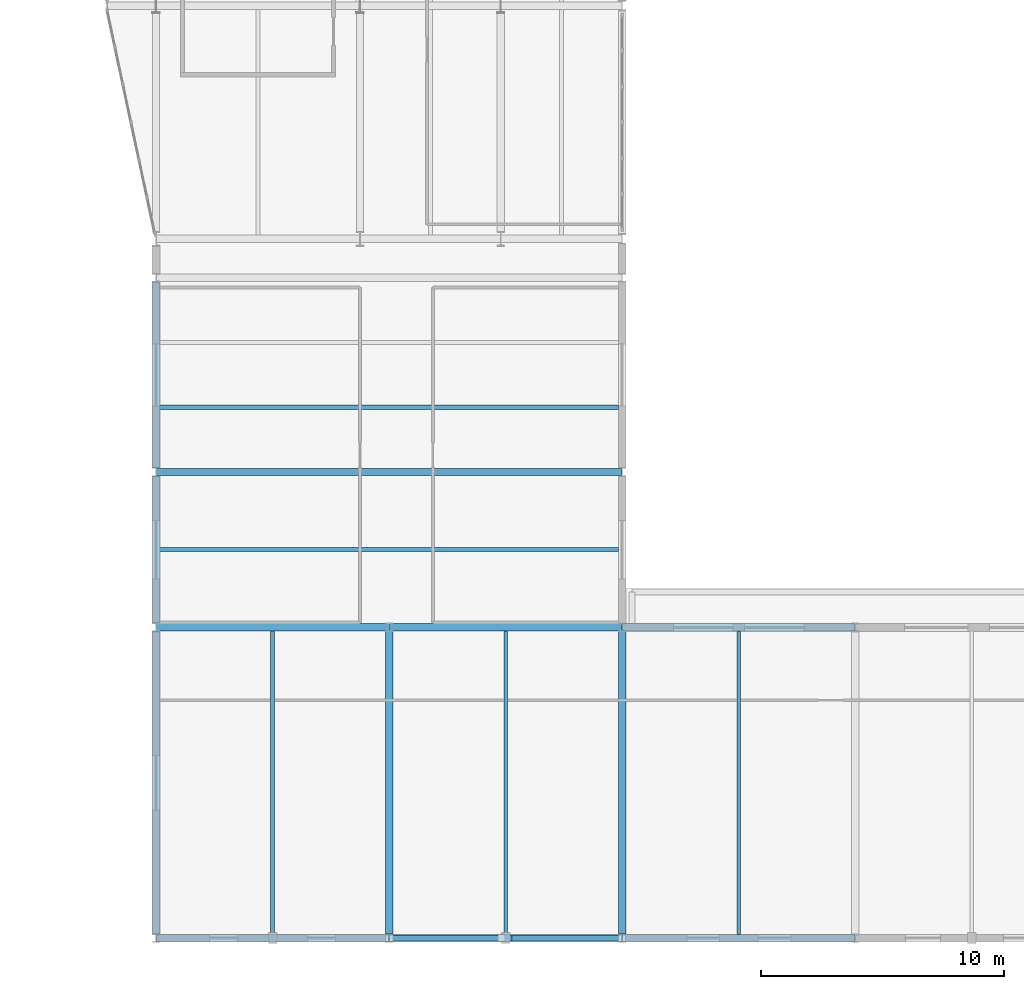
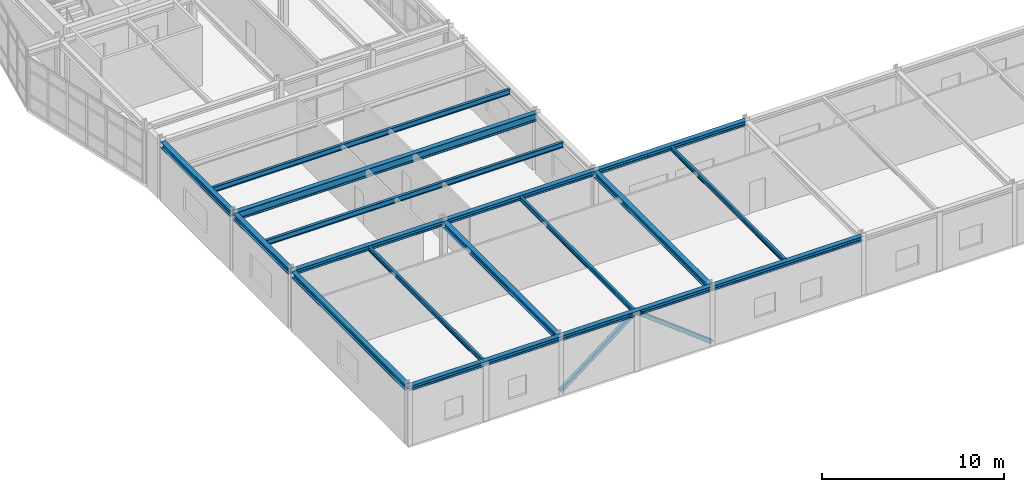
# One storey, part 19 of 99: 17 beams, 2 members.
"""IFC4 building model written with IfcOpenShell, lengths in metres."""

from ifc_helpers import new_model, si_unit, direction, frame, origin, origin_2d, place, context, subcontext, project, spatial, hollow_rectangle, i_section, extrude, material, material_profile, profile_set, type_object, element, save


model = new_model("IFC4")

# Units and contexts
model_context = context("Model", 3, precision=1e-05, world=origin(), true_north=direction((0.0, 1.0)))
body_context = subcontext(model_context, "Body", "Model", "MODEL_VIEW")
ifc_project = project(units=[si_unit("LENGTHUNIT", "METRE"), si_unit("AREAUNIT", "SQUARE_METRE"), si_unit("VOLUMEUNIT", "CUBIC_METRE"), si_unit("PLANEANGLEUNIT", "RADIAN"), si_unit("MASSUNIT", "GRAM", prefix="KILO")], contexts=[model_context])

# Site, building, storey
site_placement = place(None, origin())
site = spatial("IfcSite", under=ifc_project, at=site_placement, CompositionType="ELEMENT")
building_placement = place(site_placement, origin())
building = spatial("IfcBuilding", under=site, at=building_placement, Name="Nordkorset Police Headquarters", CompositionType="ELEMENT")
storey_placement = place(building_placement, frame((0.0, 0.0, 5.25)))
storey = spatial("IfcBuildingStorey", under=building, at=storey_placement, Name="L01", CompositionType="ELEMENT", Elevation=5.25)

# Beams
ifc_material_1 = material(Name="Steel S355J2", Category="steel")
ifc_material_profile_1 = material_profile(ifc_material_1, i_section(OverallWidth=0.14990234375, OverallDepth=0.300048828125, WebThickness=0.007080078125, FlangeThickness=0.0107421875, FilletRadius=0.014892578125, at=origin_2d()), Name="IPE 300")
ifc_profile_set_1 = profile_set([ifc_material_profile_1], Name="Steel S355J2")
beam_type_1 = type_object("IfcBeamType", Name="Beam_IPE_300", PredefinedType="JOIST", material=ifc_profile_set_1)
for number, where, z_axis, x_axis, name in (
    (1, (4.800048828125, 0.14990234375, 3.81494140625), (0.0, 1.0, 0.0), (-1.0, 0.0, 0.0), "Composite Floor Beam V7S L01 0-0-1"),
    (2, (14.39990234375, 0.14990234375, 3.81494140625), (0.0, 1.0, 0.0), (-1.0, 0.0, 0.0), "Composite Floor Beam V7S L01 1-0-1"),
    (3, (24.0, 0.14990234375, 3.81494140625), (0.0, 1.0, 0.0), (-1.0, 0.0, 0.0), "Composite Floor Beam V7S L01 2-0-1"),
):
    element("IfcBeam", number, at=place(storey_placement, frame(where, z_axis=z_axis, x_axis=x_axis)), inside=storey, type_object=beam_type_1, Name=name, PredefinedType="JOIST", context=body_context, shape_type="SweptSolid", body=[
        extrude(i_section(OverallWidth=0.14990234375, OverallDepth=0.300048828125, WebThickness=0.007080078125, FlangeThickness=0.0107421875, FilletRadius=0.014892578125, at=origin_2d()), origin(), (0.0, 0.0, 1.0), 12.5),
    ])
ifc_material_2 = material(Name="Steel S355J2", Category="steel")
ifc_material_profile_2 = material_profile(ifc_material_2, i_section(OverallWidth=0.169921875, OverallDepth=0.360107421875, WebThickness=0.008056640625, FlangeThickness=0.0126953125, FilletRadius=0.01806640625, at=origin_2d()), Name="IPE 360")
ifc_profile_set_2 = profile_set([ifc_material_profile_2], Name="Steel S355J2")
beam_type_2 = type_object("IfcBeamType", Name="Beam_IPE_360", PredefinedType="BEAM", material=ifc_profile_set_2)
for number, where, z_axis, x_axis, name in (
    (4, (0.14990234375, 16.0, 3.784912109375), (1.0, 0.0, 0.0), (0.0, 1.0, 0.0), "Composite Floor Beam V7W L01 0-0-1"),
    (5, (0.14990234375, 21.86669921875, 3.784912109375), (1.0, 0.0, 0.0), (0.0, 1.0, 0.0), "Composite Floor Beam V7W L01 0-1-1"),
):
    element("IfcBeam", number, at=place(storey_placement, frame(where, z_axis=z_axis, x_axis=x_axis)), inside=storey, type_object=beam_type_2, Name=name, PredefinedType="BEAM", context=body_context, shape_type="SweptSolid", body=[
        extrude(i_section(OverallWidth=0.169921875, OverallDepth=0.360107421875, WebThickness=0.008056640625, FlangeThickness=0.0126953125, FilletRadius=0.01806640625, at=origin_2d()), origin(), (0.0, 0.0, 1.0), 18.900146484375),
    ])

# Members
ifc_material_3 = material(Name="Steel S355J2", Category="steel")
ifc_material_profile_3 = material_profile(ifc_material_3, hollow_rectangle(XDim=0.25, YDim=0.25, WallThickness=0.012451171875, InnerFilletRadius=0.012451171875, OuterFilletRadius=0.02490234375, at=origin_2d()), Name="SHS 250x250x12.5")
ifc_profile_set_3 = profile_set([ifc_material_profile_3], Name="Steel S355J2")
member_type = type_object("IfcMemberType", Name="Brace_SHS_250x250x12.5", PredefinedType="BRACE", material=ifc_profile_set_3)
for number, where, z_axis, x_axis, name in (
    (6, (9.60595703125, 0.0, 0.199951171875), (0.793388064902, 0.0, 0.608716172342), (0.0, 1.0, 0.0), "Lateral Chevron Brace BF-EXT-V7S1 L01 D1"),
    (7, (19.194091796875, 0.0, 0.199951171875), (-0.793388064902, 0.0, 0.608716172342), (0.0, -1.0, 0.0), "Lateral Chevron Brace BF-EXT-V7S1 L01 D2"),
):
    element("IfcMember", number, at=place(storey_placement, frame(where, z_axis=z_axis, x_axis=x_axis)), inside=storey, type_object=member_type, Name=name, PredefinedType="BRACE", context=body_context, shape_type="SweptSolid", body=[
        extrude(hollow_rectangle(XDim=0.25, YDim=0.25, WallThickness=0.012451171875, InnerFilletRadius=0.012451171875, OuterFilletRadius=0.02490234375, at=origin_2d()), origin(), (0.0, 0.0, 1.0), 5.815673828125),
    ])

# Beams
ifc_material_4 = material(Name="Steel S355J2", Category="steel")
ifc_material_profile_4 = material_profile(ifc_material_4, i_section(OverallWidth=0.300048828125, OverallDepth=0.389892578125, WebThickness=0.010986328125, FlangeThickness=0.01904296875, FilletRadius=0.027099609375, at=origin_2d()), Name="HEA 400")
ifc_profile_set_4 = profile_set([ifc_material_profile_4], Name="Steel S355J2")
beam_type_3 = type_object("IfcBeamType", Name="Girder_HEA_400", PredefinedType="USERDEFINED", material=ifc_profile_set_4)
for number, where, z_axis, x_axis, name in (
    (8, (0.0, 0.169921875, 3.77001953125), (0.0, 1.0, 0.0), (-1.0, 0.0, 0.0), "Girder V7S L01 GY-0-0"),
    (9, (9.60009765625, 0.169921875, 3.77001953125), (0.0, 1.0, 0.0), (-1.0, 0.0, 0.0), "Girder V7S L01 GY-1-0"),
    (10, (19.199951171875, 0.169921875, 3.77001953125), (0.0, 1.0, 0.0), (-1.0, 0.0, 0.0), "Girder V7S L01 GY-2-0"),
):
    element("IfcBeam", number, at=place(storey_placement, frame(where, z_axis=z_axis, x_axis=x_axis)), inside=storey, type_object=beam_type_3, Name=name, ObjectType="GIRDER", PredefinedType="USERDEFINED", context=body_context, shape_type="SweptSolid", body=[
        extrude(i_section(OverallWidth=0.300048828125, OverallDepth=0.389892578125, WebThickness=0.010986328125, FlangeThickness=0.01904296875, FilletRadius=0.027099609375, at=origin_2d()), origin(), (0.0, 0.0, 1.0), 12.4599609375),
    ])
beam_1_placement = place(storey_placement, frame((0.0, 12.969970703125, 3.77001953125), z_axis=(0.0, 1.0, 0.0), x_axis=(-1.0, 0.0, 0.0)))
element("IfcBeam", 11, at=beam_1_placement, inside=storey, type_object=beam_type_3, Name="Girder V7W L01 GY-0-0", ObjectType="GIRDER", PredefinedType="USERDEFINED", context=body_context, shape_type="SweptSolid", body=[
    extrude(i_section(OverallWidth=0.300048828125, OverallDepth=0.389892578125, WebThickness=0.010986328125, FlangeThickness=0.01904296875, FilletRadius=0.027099609375, at=origin_2d()), origin(), (0.0, 0.0, 1.0), 6.06005859375),
])
beam_2_placement = place(storey_placement, frame((0.0, 19.3701171875, 3.77001953125), z_axis=(0.0, 1.0, 0.0), x_axis=(-1.0, 0.0, 0.0)))
element("IfcBeam", 12, at=beam_2_placement, inside=storey, type_object=beam_type_3, Name="Girder V7W L01 GY-0-1", ObjectType="GIRDER", PredefinedType="USERDEFINED", context=body_context, shape_type="SweptSolid", body=[
    extrude(i_section(OverallWidth=0.300048828125, OverallDepth=0.389892578125, WebThickness=0.010986328125, FlangeThickness=0.01904296875, FilletRadius=0.027099609375, at=origin_2d()), origin(), (0.0, 0.0, 1.0), 7.659912109375),
])
ifc_material_5 = material(Name="Steel S355J2", Category="steel")
ifc_material_profile_5 = material_profile(ifc_material_5, i_section(OverallWidth=0.300048828125, OverallDepth=0.5400390625, WebThickness=0.012451171875, FlangeThickness=0.02392578125, FilletRadius=0.027099609375, at=origin_2d()), Name="HEA 550")
ifc_profile_set_5 = profile_set([ifc_material_profile_5], Name="Steel S355J2")
beam_type_4 = type_object("IfcBeamType", Name="Girder_HEA_550", PredefinedType="USERDEFINED", material=ifc_profile_set_5)
beam_3_placement = place(storey_placement, frame((0.006103515625, 19.199951171875, 3.695068359375), z_axis=(1.0, 0.0, 0.0), x_axis=(0.0, 1.0, 0.0)))
element("IfcBeam", 13, at=beam_3_placement, inside=storey, type_object=beam_type_4, Name="Girder V7W L01 GX-1-0", ObjectType="GIRDER", PredefinedType="USERDEFINED", context=body_context, shape_type="SweptSolid", body=[
    extrude(i_section(OverallWidth=0.300048828125, OverallDepth=0.5400390625, WebThickness=0.012451171875, FlangeThickness=0.02392578125, FilletRadius=0.027099609375, at=origin_2d()), origin(), (0.0, 0.0, 1.0), 19.18798828125),
])
ifc_material_6 = material(Name="Steel S355J2", Category="steel")
ifc_material_profile_6 = material_profile(ifc_material_6, i_section(OverallWidth=0.300048828125, OverallDepth=0.31005859375, WebThickness=0.009033203125, FlangeThickness=0.015380859375, FilletRadius=0.027099609375, at=origin_2d()), Name="HEA 320")
ifc_profile_set_6 = profile_set([ifc_material_profile_6], Name="Steel S355J2")
beam_type_5 = type_object("IfcBeamType", Name="Spandrel_HEA_320", PredefinedType="SPANDREL", material=ifc_profile_set_6)
beam_4_placement = place(storey_placement, frame((0.006103515625, 0.0, 3.81005859375), z_axis=(1.0, 0.0, 0.0), x_axis=(0.0, 1.0, 0.0)))
element("IfcBeam", 14, at=beam_4_placement, inside=storey, type_object=beam_type_5, Name="Girder V7S L01 GX-0-0", PredefinedType="SPANDREL", context=body_context, shape_type="SweptSolid", body=[
    extrude(i_section(OverallWidth=0.300048828125, OverallDepth=0.31005859375, WebThickness=0.009033203125, FlangeThickness=0.015380859375, FilletRadius=0.027099609375, at=origin_2d()), origin(), (0.0, 0.0, 1.0), 9.587890625),
])
beam_5_placement = place(storey_placement, frame((9.60595703125, 0.0, 3.81005859375), z_axis=(1.0, 0.0, 0.0), x_axis=(0.0, 1.0, 0.0)))
element("IfcBeam", 15, at=beam_5_placement, inside=storey, type_object=beam_type_5, Name="Girder V7S L01 GX-0-1", PredefinedType="SPANDREL", context=body_context, shape_type="SweptSolid", body=[
    extrude(i_section(OverallWidth=0.300048828125, OverallDepth=0.31005859375, WebThickness=0.009033203125, FlangeThickness=0.015380859375, FilletRadius=0.027099609375, at=origin_2d()), origin(), (0.0, 0.0, 1.0), 9.588134765625),
])
for number, where, z_axis, x_axis, name in (
    (16, (19.2060546875, 0.0, 3.81005859375), (1.0, 0.0, 0.0), (0.0, 1.0, 0.0), "Girder V7S L01 GX-0-2"),
    (17, (0.006103515625, 12.800048828125, 3.81005859375), (1.0, 0.0, 0.0), (0.0, 1.0, 0.0), "Girder V7S L01 GX-1-0"),
):
    element("IfcBeam", number, at=place(storey_placement, frame(where, z_axis=z_axis, x_axis=x_axis)), inside=storey, type_object=beam_type_5, Name=name, PredefinedType="SPANDREL", context=body_context, shape_type="SweptSolid", body=[
        extrude(i_section(OverallWidth=0.300048828125, OverallDepth=0.31005859375, WebThickness=0.009033203125, FlangeThickness=0.015380859375, FilletRadius=0.027099609375, at=origin_2d()), origin(), (0.0, 0.0, 1.0), 9.587890625),
    ])
beam_6_placement = place(storey_placement, frame((9.60595703125, 12.800048828125, 3.81005859375), z_axis=(1.0, 0.0, 0.0), x_axis=(0.0, 1.0, 0.0)))
element("IfcBeam", 18, at=beam_6_placement, inside=storey, type_object=beam_type_5, Name="Girder V7S L01 GX-1-1", PredefinedType="SPANDREL", context=body_context, shape_type="SweptSolid", body=[
    extrude(i_section(OverallWidth=0.300048828125, OverallDepth=0.31005859375, WebThickness=0.009033203125, FlangeThickness=0.015380859375, FilletRadius=0.027099609375, at=origin_2d()), origin(), (0.0, 0.0, 1.0), 9.588134765625),
])
beam_7_placement = place(storey_placement, frame((19.2060546875, 12.800048828125, 3.81005859375), z_axis=(1.0, 0.0, 0.0), x_axis=(0.0, 1.0, 0.0)))
element("IfcBeam", 19, at=beam_7_placement, inside=storey, type_object=beam_type_5, Name="Girder V7S L01 GX-1-2", PredefinedType="SPANDREL", context=body_context, shape_type="SweptSolid", body=[
    extrude(i_section(OverallWidth=0.300048828125, OverallDepth=0.31005859375, WebThickness=0.009033203125, FlangeThickness=0.015380859375, FilletRadius=0.027099609375, at=origin_2d()), origin(), (0.0, 0.0, 1.0), 9.587890625),
])

save(model, "model.ifc")
